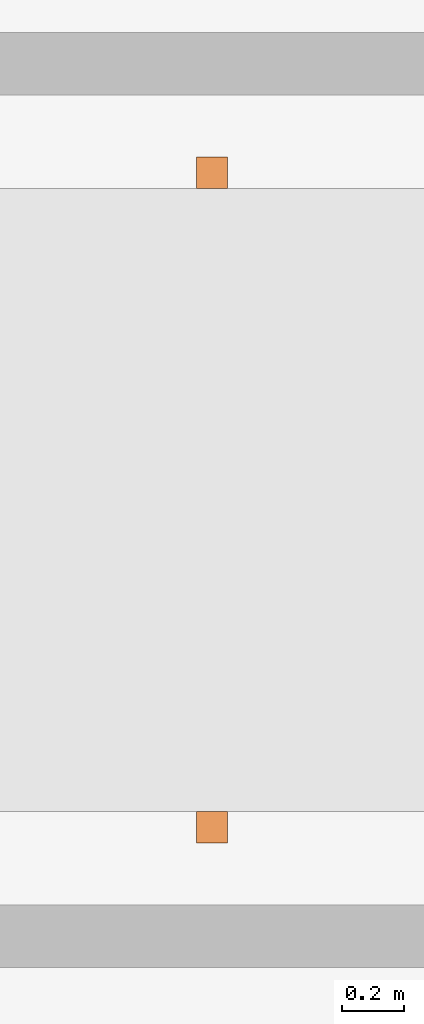
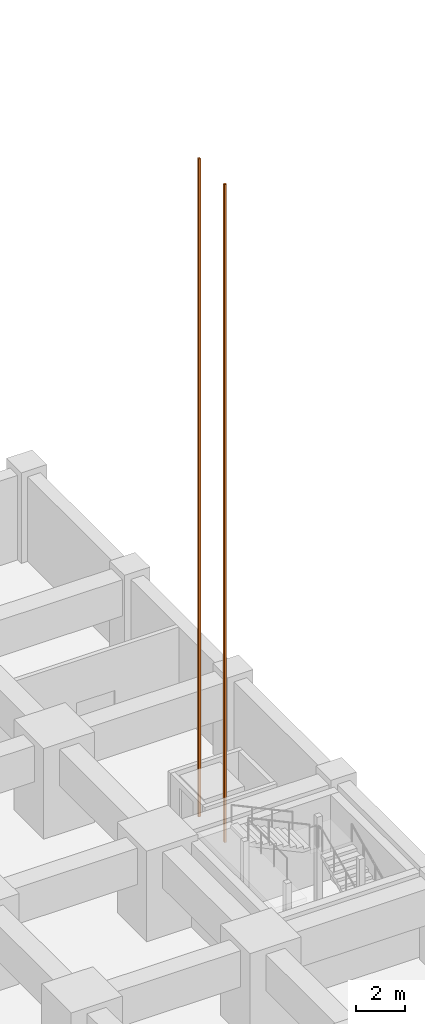
# One storey, part 28 of 28: 2 proxies.
"""IFC4 building model written with IfcOpenShell, lengths in metres."""

from ifc_helpers import new_model, si_unit, direction, frame, origin, origin_2d, place, context, subcontext, project, spatial, rectangle, extrude, material, type_object, element, save


model = new_model("IFC4")

# Units and contexts
model_context = context("Model", 3, precision=1e-05, world=origin(), true_north=direction((0.0, 1.0)))
body_context = subcontext(model_context, "Body", "Model", "MODEL_VIEW")
ifc_project = project(units=[si_unit("LENGTHUNIT", "METRE"), si_unit("AREAUNIT", "SQUARE_METRE"), si_unit("VOLUMEUNIT", "CUBIC_METRE"), si_unit("PLANEANGLEUNIT", "RADIAN"), si_unit("MASSUNIT", "GRAM", prefix="KILO")], contexts=[model_context])

# Site, building, storey
site_placement = place(None, origin())
site = spatial("IfcSite", under=ifc_project, at=site_placement, CompositionType="ELEMENT")
building_placement = place(site_placement, origin())
building = spatial("IfcBuilding", under=site, at=building_placement, Name="Rekha Terrace Tower", CompositionType="ELEMENT")
storey_placement = place(building_placement, frame((0.0, 0.0, -9.89990234375)))
storey = spatial("IfcBuildingStorey", under=building, at=storey_placement, Name="B-02", CompositionType="ELEMENT", Elevation=-9.89990234375)

# Proxies
ifc_material = material(Name="Steel guide rail", Category="steel")
building_element_proxy_type = type_object("IfcBuildingElementProxyType", Name="LR1 100 lift guide rail", PredefinedType="ELEMENT", material=ifc_material)
for number, where, z_axis, x_axis, name in (
    (1, (72.300048828125, 36.949951171875, 0.0), (0.0, 0.0, 1.0), (1.0, 0.0, 0.0), "Lift PL2 guide rail 1"),
    (2, (72.300048828125, 39.050048828125, 0.0), (0.0, 0.0, 1.0), (1.0, 0.0, 0.0), "Lift PL2 guide rail 2"),
):
    element("IfcBuildingElementProxy", number, at=place(storey_placement, frame(where, z_axis=z_axis, x_axis=x_axis)), inside=storey, type_object=building_element_proxy_type, Name=name, PredefinedType="ELEMENT", context=body_context, shape_type="SweptSolid", body=[
        extrude(rectangle(XDim=0.10009765625, YDim=0.10009765625, at=origin_2d()), origin(), (0.0, 0.0, 1.0), 32.699951171875),
    ])

save(model, "model.ifc")
